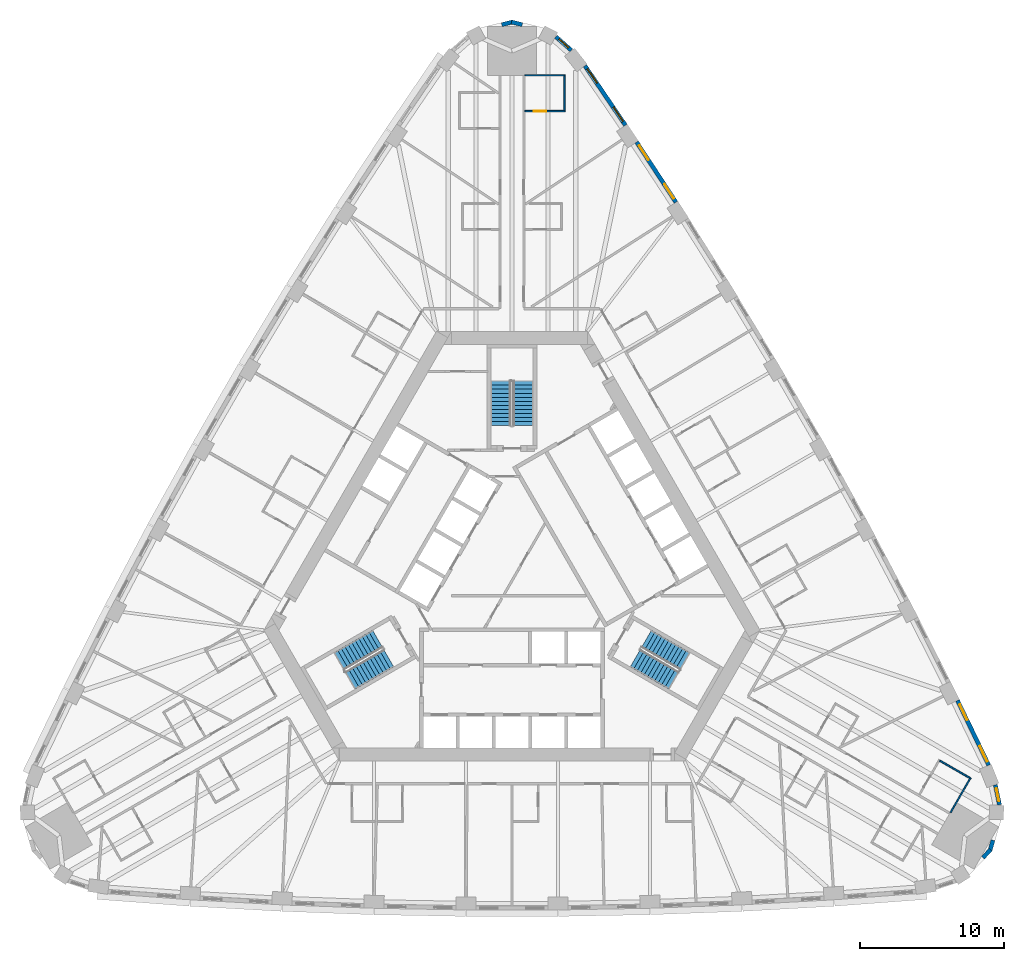
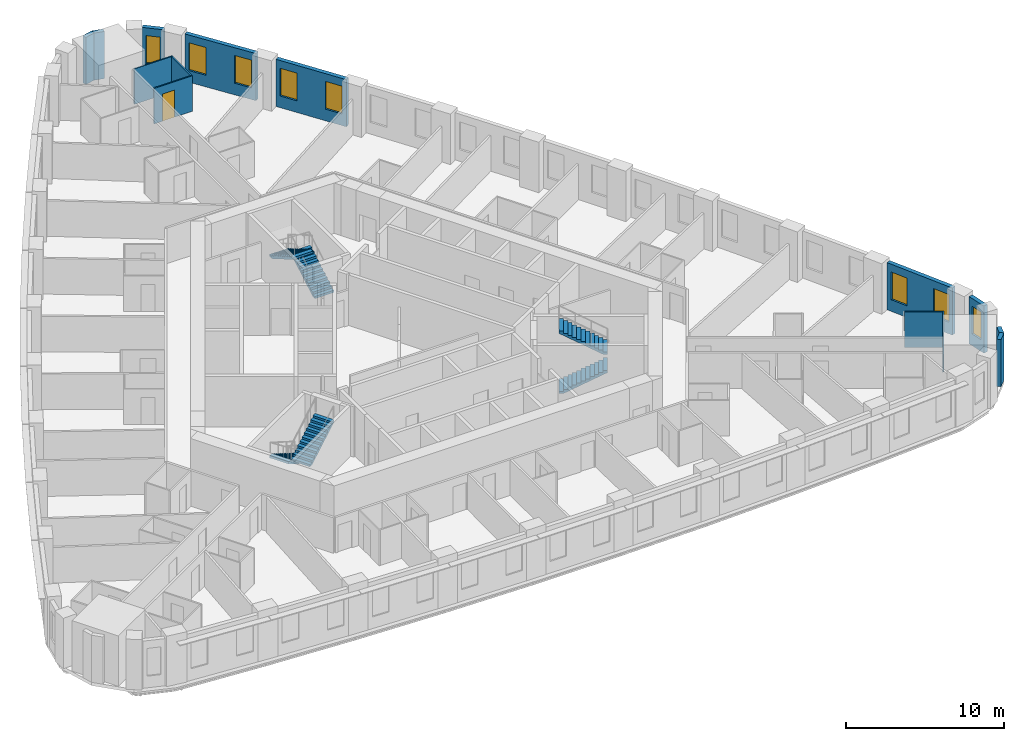
# One storey, part 12 of 13: 14 walls, 8 windows, 6 stair flights, 1 door, 9 openings, 3 elements without a shape of their own.
"""IFC4 building model written with IfcOpenShell, lengths in metres."""

import ifcopenshell
import ifcopenshell.guid

model = None  # the IFC model being written
_history = None  # IfcOwnerHistory: only IFC2X3 demands one
_inside = {}  # id of a spatial element -> (the spatial element, [elements in it])
_under = {}  # id of a project, library or spatial element -> (it, [spatial elements below it])
_declared = {}  # id of a project -> (the project, [libraries it declares])
_typed = {}  # id of a type object -> (the type object, [elements of that type])
_made_of = {}  # id of a material, layer set ... -> (it, [elements and type objects made of it])


def new_model(schema):
    """Start an empty IFC model of exactly this schema.

    Asked for "IFC4X3", IfcOpenShell would pick the latest addendum, in which some entities
    have other attributes; the version numbers below select the first issue.
    IFC2X3 requires an IfcOwnerHistory on every rooted entity: one is made here for all.
    """
    global model, _history
    if schema == "IFC4X3":
        model = ifcopenshell.file(schema_version=(4, 3, 0, 0))
    else:
        model = ifcopenshell.file(schema=schema)
    _inside.clear()
    _under.clear()
    _declared.clear()
    _typed.clear()
    _made_of.clear()
    _history = None
    if model.schema == "IFC2X3":
        org = make("IfcOrganization", Name="unknown")
        user = make(
            "IfcPersonAndOrganization",
            ThePerson=make("IfcPerson", FamilyName="unknown"),
            TheOrganization=org,
        )
        app = make(
            "IfcApplication",
            ApplicationDeveloper=org,
            Version="unknown",
            ApplicationFullName="unknown",
            ApplicationIdentifier="unknown",
        )
        _history = make(
            "IfcOwnerHistory",
            OwningUser=user,
            OwningApplication=app,
            ChangeAction="ADDED",
            CreationDate=0,
        )
    return model


def make(cls, **values):
    """One entity of the class cls with the attributes given. An attribute that is None is left unset."""
    return model.create_entity(
        cls, **{name: value for name, value in values.items() if value is not None}
    )


def rooted(cls, **values):
    """An entity with a GlobalId (a new one), such as an element, a storey or a relation."""
    return make(cls, GlobalId=ifcopenshell.guid.new(), OwnerHistory=_history, **values)


def si_unit(unit_type, name, prefix=None):
    """IfcSIUnit, for example si_unit("LENGTHUNIT", "METRE", prefix="MILLI")."""
    return make("IfcSIUnit", UnitType=unit_type, Prefix=prefix, Name=name)


def assignment(units):
    """IfcUnitAssignment: the units of a project."""
    return None if units is None else make("IfcUnitAssignment", Units=units)


def point(xyz):
    """IfcCartesianPoint."""
    return None if xyz is None else make("IfcCartesianPoint", Coordinates=xyz)


def direction(xyz):
    """IfcDirection."""
    return None if xyz is None else make("IfcDirection", DirectionRatios=xyz)


def frame(location, z_axis=None, x_axis=None):
    """IfcAxis2Placement3D, a coordinate frame: its origin and axes. An axis left out is left unset."""
    return make(
        "IfcAxis2Placement3D",
        Location=point(location),
        Axis=direction(z_axis),
        RefDirection=direction(x_axis),
    )


def frame_2d(location, x_axis=None):
    """IfcAxis2Placement2D, a coordinate frame in the plane: its origin and x axis."""
    return make(
        "IfcAxis2Placement2D", Location=point(location), RefDirection=direction(x_axis)
    )


def origin():
    """The frame at (0, 0, 0) with its axes left unset."""
    return frame((0.0, 0.0, 0.0))


def place(relative_to, where):
    """IfcLocalPlacement: puts the frame where relative to a parent placement (None: the world)."""
    return make(
        "IfcLocalPlacement", PlacementRelTo=relative_to, RelativePlacement=where
    )


def context(
    kind, dimensions, precision=None, world=None, true_north=None, identifier=None
):
    """IfcGeometricRepresentationContext, for example the 3D "Model" context."""
    return make(
        "IfcGeometricRepresentationContext",
        ContextIdentifier=identifier,
        ContextType=kind,
        CoordinateSpaceDimension=dimensions,
        Precision=precision,
        WorldCoordinateSystem=world,
        TrueNorth=true_north,
    )


def subcontext(parent, identifier, kind, view, scale=None):
    """IfcGeometricRepresentationSubContext, for example "Body" below "Model"."""
    return make(
        "IfcGeometricRepresentationSubContext",
        ContextIdentifier=identifier,
        ContextType=kind,
        ParentContext=parent,
        TargetScale=scale,
        TargetView=view,
    )


def project(units=None, contexts=None):
    """IfcProject with its units and contexts."""
    return rooted(
        "IfcProject",
        Name="project",
        RepresentationContexts=contexts,
        UnitsInContext=assignment(units),
    )


def spatial(cls, under=None, at=None, **own):
    """A site, building, storey or space (cls), placed at a placement, below another one or the project."""
    s = rooted(cls, ObjectPlacement=at, **own)
    if under is not None:
        _under.setdefault(under.id(), (under, []))[1].append(s)
    return s


def polyline(points):
    """IfcPolyline through the points."""
    return make("IfcPolyline", Points=[point(p) for p in points])


def profile(cls, at=None, kind="AREA", **sizes):
    """A parametric profile (cls). Its sizes go by their IFC names, for example OverallWidth=200.0."""
    return make(cls, ProfileType=kind, Position=at, **sizes)


def rectangle(**sizes):
    """IfcRectangleProfileDef."""
    return profile("IfcRectangleProfileDef", **sizes)


def outline(outer, holes=None, kind="AREA"):
    """IfcArbitraryClosedProfileDef: a profile drawn as a closed curve; with holes, ...WithVoids."""
    if holes is None:
        return make("IfcArbitraryClosedProfileDef", ProfileType=kind, OuterCurve=outer)
    return make(
        "IfcArbitraryProfileDefWithVoids",
        ProfileType=kind,
        OuterCurve=outer,
        InnerCurves=holes,
    )


def extrude(swept, where, along, depth):
    """IfcExtrudedAreaSolid: the profile swept, set in the frame where, extruded along a direction by depth."""
    return make(
        "IfcExtrudedAreaSolid",
        SweptArea=swept,
        Position=where,
        ExtrudedDirection=direction(along),
        Depth=depth,
    )


def shape(context_of_items, identifier, shape_type, items):
    """IfcShapeRepresentation: the items that make up one representation, for example the "Body"."""
    return make(
        "IfcShapeRepresentation",
        ContextOfItems=context_of_items,
        RepresentationIdentifier=identifier,
        RepresentationType=shape_type,
        Items=items,
    )


def material(Name=None, Category=None):
    """IfcMaterial."""
    return make("IfcMaterial", Name=Name, Category=Category)


def layer(
    of_material, thickness, ventilated=None, Name=None, Category=None, Priority=None
):
    """IfcMaterialLayer: one layer of a wall or slab, of a material (None: an air gap)."""
    return make(
        "IfcMaterialLayer",
        Material=of_material,
        LayerThickness=thickness,
        IsVentilated=ventilated,
        Name=Name,
        Category=Category,
        Priority=Priority,
    )


def layer_set(layers, Name=None):
    """IfcMaterialLayerSet."""
    return make("IfcMaterialLayerSet", MaterialLayers=layers, LayerSetName=Name)


def made_of(thing, what):
    """Note that an element or type object is made of a material, layer set ...; save() writes the relation."""
    if what is not None:
        _made_of.setdefault(what.id(), (what, []))[1].append(thing)
    return thing


def type_object(cls, material=None, **own):
    """A type object (cls), such as IfcWallType, which elements share."""
    return made_of(rooted(cls, **own), material)


def element(
    cls,
    number,
    at=None,
    inside=None,
    cuts=None,
    type_object=None,
    material=None,
    context=None,
    identifier="Body",
    shape_type=None,
    held_by="IfcProductDefinitionShape",
    body=None,
    shapes=None,
    **own,
):
    """One element of the class cls, such as IfcWall. Its Tag is "e" and its number.

    at: its placement. inside: the storey or other place that contains it. cuts: it is an
    opening in that element (IfcRelVoidsElement). A single representation is given by context,
    identifier, shape_type and body (its items); several are given by shapes. held_by: the class
    of the entity that holds the representations. save() writes the other relations.
    """
    e = rooted(cls, Tag="e%d" % number, ObjectPlacement=at, **own)
    if body is not None:
        shapes = [shape(context, identifier, shape_type, body)]
    if shapes is not None:
        e.Representation = make(held_by, Representations=shapes)
    if inside is not None:
        _inside.setdefault(inside.id(), (inside, []))[1].append(e)
    if cuts is not None:
        rooted(
            "IfcRelVoidsElement", RelatingBuildingElement=cuts, RelatedOpeningElement=e
        )
    if type_object is not None:
        _typed.setdefault(type_object.id(), (type_object, []))[1].append(e)
    return made_of(e, material)


def fill(opening, filler):
    """IfcRelFillsElement: the door or window that sits in an opening."""
    return rooted(
        "IfcRelFillsElement",
        RelatingOpeningElement=opening,
        RelatedBuildingElement=filler,
    )


def aggregate(whole, parts):
    """IfcRelAggregates: a whole, such as a stair, and the parts it consists of."""
    return rooted("IfcRelAggregates", RelatingObject=whole, RelatedObjects=parts)


def save(model, path):
    """Write the relations noted so far, then the file.

    IfcRelAggregates (storeys below a building ...), IfcRelContainedInSpatialStructure (elements
    in a storey), IfcRelDefinesByType, IfcRelAssociatesMaterial and IfcRelDeclares: one each for
    every whole, place, type object, material and project.
    """
    for whole, parts in _under.values():
        aggregate(whole, parts)
    for where, things in _inside.values():
        rooted(
            "IfcRelContainedInSpatialStructure",
            RelatedElements=things,
            RelatingStructure=where,
        )
    for kind, things in _typed.values():
        rooted("IfcRelDefinesByType", RelatedObjects=things, RelatingType=kind)
    for what, things in _made_of.values():
        rooted("IfcRelAssociatesMaterial", RelatedObjects=things, RelatingMaterial=what)
    for by, libraries in _declared.values():
        rooted("IfcRelDeclares", RelatingContext=by, RelatedDefinitions=libraries)
    model.write(path)


model = new_model("IFC4")

# Units and contexts
model_context = context("Model", 3, precision=1e-05, world=origin(), true_north=direction((0.0, 1.0)))
body_context = subcontext(model_context, "Body", "Model", "MODEL_VIEW")
ifc_project = project(units=[si_unit("LENGTHUNIT", "METRE"), si_unit("AREAUNIT", "SQUARE_METRE"), si_unit("VOLUMEUNIT", "CUBIC_METRE"), si_unit("PLANEANGLEUNIT", "RADIAN"), si_unit("MASSUNIT", "GRAM", prefix="KILO")], contexts=[model_context])

# Site, building, storey
site_placement = place(None, origin())
site = spatial("IfcSite", under=ifc_project, at=site_placement, CompositionType="ELEMENT")
building_placement = place(site_placement, origin())
building = spatial("IfcBuilding", under=site, at=building_placement, Name="Mestral Congress Tower", CompositionType="ELEMENT")
storey_placement = place(building_placement, frame((0.0, 0.0, 27.60009765625)))
storey = spatial("IfcBuildingStorey", under=building, at=storey_placement, Name="L05", CompositionType="ELEMENT", Elevation=27.60009765625)

# Walls
ifc_material_1 = material(Name="Precast concrete C40/50 with limestone facing", Category="masonry")
ifc_layer_1 = layer(ifc_material_1, 0.2900390625)
ifc_layer_set_1 = layer_set([ifc_layer_1], Name="Precast concrete C40/50 with limestone facing")
wall_type_1 = type_object("IfcWallType", Name="Facade stone wall 290", PredefinedType="SOLIDWALL", material=ifc_layer_set_1)
for number, where, z_axis, x_axis, name in (
    (1, (32.762451171875, -19.732177734375, 0.0), (0.0, 0.0, 1.0), (0.692252359589, 0.721655506903, 0.0), "Facade wall K0-1"),
    (2, (33.256591796875, -19.24072265625, 0.0), (0.0, 0.0, 1.0), (0.278981320915, 0.960296528464, 0.0), "Facade wall K0-2"),
):
    element("IfcWall", number, at=place(storey_placement, frame(where, z_axis=z_axis, x_axis=x_axis)), inside=storey, type_object=wall_type_1, Name=name, PredefinedType="SOLIDWALL", context=body_context, shape_type="SweptSolid", body=[
        extrude(rectangle(XDim=0.763916015625, YDim=0.2900390625, at=frame_2d((0.3818359375, 0.0))), origin(), (0.0, 0.0, 1.0), 3.64990234375),
    ])

# Wall, opening, window
wall_1_placement = place(storey_placement, frame((33.91748046875, -16.043701171875, 0.0), z_axis=(0.0, 0.0, 1.0), x_axis=(-0.198106888228, 0.980180422594, 0.0)))
wall_1 = element("IfcWall", 3, at=wall_1_placement, inside=storey, type_object=wall_type_1, Name="Facade wall K0-3", PredefinedType="SOLIDWALL", context=body_context, shape_type="SweptSolid", body=[
    extrude(rectangle(XDim=1.414794921875, YDim=0.2900390625, at=frame_2d((0.70751953125, 0.0))), origin(), (0.0, 0.0, 1.0), 3.64990234375),
])
opening_1_placement = place(wall_1_placement, frame((0.25732421875, 0.0, 0.89990234375)))
opening_1 = element("IfcOpeningElement", 4, at=opening_1_placement, cuts=wall_1, Name="Opening W3", PredefinedType="OPENING", context=body_context, shape_type="SweptSolid", body=[
    extrude(rectangle(XDim=0.89990234375, YDim=2.14990234375, at=frame_2d((0.449951171875, 1.074951171875))), frame((0.0, 0.155029296875, 0.0), z_axis=(0.0, -1.0, 0.0), x_axis=(1.0, 0.0, 0.0)), (0.0, 0.0, 1.0), 0.31005859375),
])
ifc_material_2 = material(Name="Clear low-emissivity double glazing", Category="glass")
window_type_1 = type_object("IfcWindowType", Name="Facade punched window 900 x 2150 sill 900", PartitioningType="SINGLE_PANEL", PredefinedType="WINDOW", material=ifc_material_2)
window_1_placement = place(opening_1_placement, origin())
window_1 = element("IfcWindow", 5, at=window_1_placement, inside=storey, type_object=window_type_1, Name="Window K0-3", OverallHeight=2.14990234375, OverallWidth=0.89990234375, PartitioningType="SINGLE_PANEL", PredefinedType="WINDOW", context=body_context, shape_type="SweptSolid", body=[
    extrude(rectangle(XDim=0.89990234375, YDim=2.14990234375, at=frame_2d((0.449951171875, 1.074951171875))), frame((0.0, 0.01513671875, 0.0), z_axis=(0.0, -1.0, 0.0), x_axis=(1.0, 0.0, 0.0)), (0.0, 0.0, 1.0), 0.06005859375),
])
fill(opening_1, window_1)

# Wall, openings, windows
wall_2_placement = place(storey_placement, frame((33.176025390625, -13.290283203125, 0.0), z_axis=(0.0, 0.0, 1.0), x_axis=(-0.434664499056, 0.900592456808, 0.0)))
wall_2 = element("IfcWall", 6, at=wall_2_placement, inside=storey, type_object=wall_type_1, Name="Facade wall F1-00", PredefinedType="SOLIDWALL", context=body_context, shape_type="SweptSolid", body=[
    extrude(rectangle(XDim=5.005615234375, YDim=0.2900390625, at=frame_2d((2.5029296875, 0.0))), origin(), (0.0, 0.0, 1.0), 3.64990234375),
])
opening_2_placement = place(wall_2_placement, frame((0.265380859375, 0.0, 0.89990234375)))
opening_2 = element("IfcOpeningElement", 7, at=opening_2_placement, cuts=wall_2, Name="Opening W1", PredefinedType="OPENING", context=body_context, shape_type="SweptSolid", body=[
    extrude(rectangle(XDim=1.199951171875, YDim=2.14990234375, at=frame_2d((0.60009765625, 1.074951171875))), frame((0.0, 0.155029296875, 0.0), z_axis=(0.0, -1.0, 0.0), x_axis=(1.0, 0.0, 0.0)), (0.0, 0.0, 1.0), 0.31005859375),
])
opening_3_placement = place(wall_2_placement, frame((3.49560546875, 0.0, 0.89990234375)))
opening_3 = element("IfcOpeningElement", 8, at=opening_3_placement, cuts=wall_2, Name="Opening W1", PredefinedType="OPENING", context=body_context, shape_type="SweptSolid", body=[
    extrude(rectangle(XDim=1.199951171875, YDim=2.14990234375, at=frame_2d((0.60009765625, 1.074951171875))), frame((0.0, 0.155029296875, 0.0), z_axis=(0.0, -1.0, 0.0), x_axis=(1.0, 0.0, 0.0)), (0.0, 0.0, 1.0), 0.31005859375),
])
window_type_2 = type_object("IfcWindowType", Name="Facade punched window 1200 x 2150 sill 900", PartitioningType="DOUBLE_PANEL_VERTICAL", PredefinedType="WINDOW", material=ifc_material_2)
window_2_placement = place(opening_2_placement, origin())
window_2 = element("IfcWindow", 9, at=window_2_placement, inside=storey, type_object=window_type_2, Name="Window F1-00a", OverallHeight=2.14990234375, OverallWidth=1.199951171875, PartitioningType="DOUBLE_PANEL_VERTICAL", PredefinedType="WINDOW", context=body_context, shape_type="SweptSolid", body=[
    extrude(rectangle(XDim=1.199951171875, YDim=2.14990234375, at=frame_2d((0.60009765625, 1.074951171875))), frame((0.0, 0.01513671875, 0.0), z_axis=(0.0, -1.0, 0.0), x_axis=(1.0, 0.0, 0.0)), (0.0, 0.0, 1.0), 0.06005859375),
])
fill(opening_2, window_2)
window_3_placement = place(opening_3_placement, origin())
window_3 = element("IfcWindow", 10, at=window_3_placement, inside=storey, type_object=window_type_2, Name="Window F1-00b", OverallHeight=2.14990234375, OverallWidth=1.199951171875, PartitioningType="DOUBLE_PANEL_VERTICAL", PredefinedType="WINDOW", context=body_context, shape_type="SweptSolid", body=[
    extrude(rectangle(XDim=1.199951171875, YDim=2.14990234375, at=frame_2d((0.60009765625, 1.074951171875))), frame((0.0, 0.01513671875, 0.0), z_axis=(0.0, -1.0, 0.0), x_axis=(1.0, 0.0, 0.0)), (0.0, 0.0, 1.0), 0.06005859375),
])
fill(opening_3, window_3)

wall_3_placement = place(storey_placement, frame((11.41064453125, 25.884033203125, 0.0), z_axis=(0.0, 0.0, 1.0), x_axis=(-0.547204617628, 0.836998868845, 0.0)))
wall_3 = element("IfcWall", 11, at=wall_3_placement, inside=storey, type_object=wall_type_1, Name="Facade wall F1-07", PredefinedType="SOLIDWALL", context=body_context, shape_type="SweptSolid", body=[
    extrude(rectangle(XDim=4.998291015625, YDim=0.2900390625, at=frame_2d((2.4990234375, 0.0))), origin(), (0.0, 0.0, 1.0), 3.64990234375),
])
opening_4_placement = place(wall_3_placement, frame((0.297119140625, 0.0, 0.89990234375)))
opening_4 = element("IfcOpeningElement", 12, at=opening_4_placement, cuts=wall_3, Name="Opening W1", PredefinedType="OPENING", context=body_context, shape_type="SweptSolid", body=[
    extrude(rectangle(XDim=1.199951171875, YDim=2.14990234375, at=frame_2d((0.60009765625, 1.074951171875))), frame((0.0, 0.155029296875, 0.0), z_axis=(0.0, -1.0, 0.0), x_axis=(1.0, 0.0, 0.0)), (0.0, 0.0, 1.0), 0.31005859375),
])
opening_5_placement = place(wall_3_placement, frame((3.501220703125, 0.0, 0.89990234375)))
opening_5 = element("IfcOpeningElement", 13, at=opening_5_placement, cuts=wall_3, Name="Opening W1", PredefinedType="OPENING", context=body_context, shape_type="SweptSolid", body=[
    extrude(rectangle(XDim=1.199951171875, YDim=2.14990234375, at=frame_2d((0.60009765625, 1.074951171875))), frame((0.0, 0.155029296875, 0.0), z_axis=(0.0, -1.0, 0.0), x_axis=(1.0, 0.0, 0.0)), (0.0, 0.0, 1.0), 0.31005859375),
])
window_4_placement = place(opening_4_placement, origin())
window_4 = element("IfcWindow", 14, at=window_4_placement, inside=storey, type_object=window_type_2, Name="Window F1-07a", OverallHeight=2.14990234375, OverallWidth=1.199951171875, PartitioningType="DOUBLE_PANEL_VERTICAL", PredefinedType="WINDOW", context=body_context, shape_type="SweptSolid", body=[
    extrude(rectangle(XDim=1.199951171875, YDim=2.14990234375, at=frame_2d((0.60009765625, 1.074951171875))), frame((0.0, 0.01513671875, 0.0), z_axis=(0.0, -1.0, 0.0), x_axis=(1.0, 0.0, 0.0)), (0.0, 0.0, 1.0), 0.06005859375),
])
fill(opening_4, window_4)
window_5_placement = place(opening_5_placement, origin())
window_5 = element("IfcWindow", 15, at=window_5_placement, inside=storey, type_object=window_type_2, Name="Window F1-07b", OverallHeight=2.14990234375, OverallWidth=1.199951171875, PartitioningType="DOUBLE_PANEL_VERTICAL", PredefinedType="WINDOW", context=body_context, shape_type="SweptSolid", body=[
    extrude(rectangle(XDim=1.199951171875, YDim=2.14990234375, at=frame_2d((0.60009765625, 1.074951171875))), frame((0.0, 0.01513671875, 0.0), z_axis=(0.0, -1.0, 0.0), x_axis=(1.0, 0.0, 0.0)), (0.0, 0.0, 1.0), 0.06005859375),
])
fill(opening_5, window_5)

wall_4_placement = place(storey_placement, frame((7.89453125, 31.23828125, 0.0), z_axis=(0.0, 0.0, 1.0), x_axis=(-0.562610153679, 0.826722332454, 0.0)))
wall_4 = element("IfcWall", 16, at=wall_4_placement, inside=storey, type_object=wall_type_1, Name="Facade wall F1-08", PredefinedType="SOLIDWALL", context=body_context, shape_type="SweptSolid", body=[
    extrude(rectangle(XDim=5.005615234375, YDim=0.2900390625, at=frame_2d((2.5029296875, 0.0))), origin(), (0.0, 0.0, 1.0), 3.64990234375),
])
opening_6_placement = place(wall_4_placement, frame((0.310302734375, 0.0, 0.89990234375)))
opening_6 = element("IfcOpeningElement", 17, at=opening_6_placement, cuts=wall_4, Name="Opening W1", PredefinedType="OPENING", context=body_context, shape_type="SweptSolid", body=[
    extrude(rectangle(XDim=1.199951171875, YDim=2.14990234375, at=frame_2d((0.60009765625, 1.074951171875))), frame((0.0, 0.155029296875, 0.0), z_axis=(0.0, -1.0, 0.0), x_axis=(1.0, 0.0, 0.0)), (0.0, 0.0, 1.0), 0.31005859375),
])
opening_7_placement = place(wall_4_placement, frame((3.54052734375, 0.0, 0.89990234375)))
opening_7 = element("IfcOpeningElement", 18, at=opening_7_placement, cuts=wall_4, Name="Opening W1", PredefinedType="OPENING", context=body_context, shape_type="SweptSolid", body=[
    extrude(rectangle(XDim=1.199951171875, YDim=2.14990234375, at=frame_2d((0.60009765625, 1.074951171875))), frame((0.0, 0.155029296875, 0.0), z_axis=(0.0, -1.0, 0.0), x_axis=(1.0, 0.0, 0.0)), (0.0, 0.0, 1.0), 0.31005859375),
])
window_6_placement = place(opening_6_placement, origin())
window_6 = element("IfcWindow", 19, at=window_6_placement, inside=storey, type_object=window_type_2, Name="Window F1-08a", OverallHeight=2.14990234375, OverallWidth=1.199951171875, PartitioningType="DOUBLE_PANEL_VERTICAL", PredefinedType="WINDOW", context=body_context, shape_type="SweptSolid", body=[
    extrude(rectangle(XDim=1.199951171875, YDim=2.14990234375, at=frame_2d((0.60009765625, 1.074951171875))), frame((0.0, 0.01513671875, 0.0), z_axis=(0.0, -1.0, 0.0), x_axis=(1.0, 0.0, 0.0)), (0.0, 0.0, 1.0), 0.06005859375),
])
fill(opening_6, window_6)
window_7_placement = place(opening_7_placement, origin())
window_7 = element("IfcWindow", 20, at=window_7_placement, inside=storey, type_object=window_type_2, Name="Window F1-08b", OverallHeight=2.14990234375, OverallWidth=1.199951171875, PartitioningType="DOUBLE_PANEL_VERTICAL", PredefinedType="WINDOW", context=body_context, shape_type="SweptSolid", body=[
    extrude(rectangle(XDim=1.199951171875, YDim=2.14990234375, at=frame_2d((0.60009765625, 1.074951171875))), frame((0.0, 0.01513671875, 0.0), z_axis=(0.0, -1.0, 0.0), x_axis=(1.0, 0.0, 0.0)), (0.0, 0.0, 1.0), 0.06005859375),
])
fill(opening_7, window_7)

# Wall, opening, window
wall_5_placement = place(storey_placement, frame((4.12548828125, 36.458984375, 0.0), z_axis=(0.0, 0.0, 1.0), x_axis=(-0.749812680302, 0.661650167731, 0.0)))
wall_5 = element("IfcWall", 21, at=wall_5_placement, inside=storey, type_object=wall_type_1, Name="Facade wall K1-0", PredefinedType="SOLIDWALL", context=body_context, shape_type="SweptSolid", body=[
    extrude(rectangle(XDim=1.4150390625, YDim=0.2900390625, at=frame_2d((0.70751953125, 0.0))), origin(), (0.0, 0.0, 1.0), 3.64990234375),
])
opening_8_placement = place(wall_5_placement, frame((0.257568359375, 0.0, 0.89990234375)))
opening_8 = element("IfcOpeningElement", 22, at=opening_8_placement, cuts=wall_5, Name="Opening W3", PredefinedType="OPENING", context=body_context, shape_type="SweptSolid", body=[
    extrude(rectangle(XDim=0.89990234375, YDim=2.14990234375, at=frame_2d((0.449951171875, 1.074951171875))), frame((0.0, 0.155029296875, 0.0), z_axis=(0.0, -1.0, 0.0), x_axis=(1.0, 0.0, 0.0)), (0.0, 0.0, 1.0), 0.31005859375),
])
window_8_placement = place(opening_8_placement, origin())
window_8 = element("IfcWindow", 23, at=window_8_placement, inside=storey, type_object=window_type_1, Name="Window K1-0", OverallHeight=2.14990234375, OverallWidth=0.89990234375, PartitioningType="SINGLE_PANEL", PredefinedType="WINDOW", context=body_context, shape_type="SweptSolid", body=[
    extrude(rectangle(XDim=0.89990234375, YDim=2.14990234375, at=frame_2d((0.449951171875, 1.074951171875))), frame((0.0, 0.01513671875, 0.0), z_axis=(0.0, -1.0, 0.0), x_axis=(1.0, 0.0, 0.0)), (0.0, 0.0, 1.0), 0.06005859375),
])
fill(opening_8, window_8)

# Walls
for number, where, z_axis, x_axis, name in (
    (24, (0.707275390625, 38.2392578125, 0.0), (0.0, 0.0, 1.0), (-0.971167582305, 0.238397833629, 0.0), "Facade wall K1-1"),
    (25, (0.03466796875, 38.42138671875, 0.0), (0.0, 0.0, 1.0), (-0.971167582305, -0.238397833629, 0.0), "Facade wall K1-2"),
):
    element("IfcWall", number, at=place(storey_placement, frame(where, z_axis=z_axis, x_axis=x_axis)), inside=storey, type_object=wall_type_1, Name=name, PredefinedType="SOLIDWALL", context=body_context, shape_type="SweptSolid", body=[
        extrude(rectangle(XDim=0.763916015625, YDim=0.2900390625, at=frame_2d((0.3818359375, 0.0))), origin(), (0.0, 0.0, 1.0), 3.64990234375),
    ])
ifc_material_3 = material(Name="Gypsum board partition on metal studs with mineral wool", Category="composite")
ifc_layer_2 = layer(ifc_material_3, 0.10009765625)
ifc_layer_set_2 = layer_set([ifc_layer_2], Name="Gypsum board partition on metal studs with mineral wool")
wall_type_2 = type_object("IfcWallType", Name="Hotel partition wall 100", PredefinedType="PARTITIONING", material=ifc_layer_set_2)
wall_6_placement = place(storey_placement, frame((29.770751953125, -12.973388671875, 0.0), z_axis=(0.0, 0.0, 1.0), x_axis=(0.865980596518, -0.500077600433, 0.0)))
element("IfcWall", 26, at=wall_6_placement, inside=storey, type_object=wall_type_2, Name="L05-h-pod11b", PredefinedType="PARTITIONING", context=body_context, shape_type="SweptSolid", body=[
    extrude(rectangle(XDim=2.39990234375, YDim=0.10009765625, at=frame_2d((1.199951171875, 0.0))), origin(), (0.0, 0.0, 1.0), 2.75),
])
wall_7_placement = place(storey_placement, frame((30.517578125, -16.580078125, 0.0), z_axis=(0.0, 0.0, 1.0), x_axis=(0.49998411664, 0.866034573852, 0.0)))
element("IfcWall", 27, at=wall_7_placement, inside=storey, type_object=wall_type_2, Name="L05-h-pod11c", PredefinedType="PARTITIONING", context=body_context, shape_type="SweptSolid", body=[
    extrude(rectangle(XDim=2.7998046875, YDim=0.10009765625, at=frame_2d((1.39990234375, 0.0))), origin(), (0.0, 0.0, 1.0), 2.75),
])

# Wall, opening, door
wall_8_placement = place(storey_placement, frame((0.89990234375, 32.218994140625, 0.0), z_axis=(0.0, 0.0, 1.0), x_axis=(1.0, 0.0, 0.0)))
wall_8 = element("IfcWall", 28, at=wall_8_placement, inside=storey, type_object=wall_type_2, Name="L05-h-pod20a", PredefinedType="PARTITIONING", context=body_context, shape_type="SweptSolid", body=[
    extrude(rectangle(XDim=2.800048828125, YDim=0.10009765625, at=frame_2d((1.39990234375, 0.0))), origin(), (0.0, 0.0, 1.0), 2.75),
])
opening_9_placement = place(wall_8_placement, frame((0.60009765625, 0.0, 0.0)))
opening_9 = element("IfcOpeningElement", 29, at=opening_9_placement, cuts=wall_8, Name="Opening H01-038", PredefinedType="OPENING", context=body_context, shape_type="SweptSolid", body=[
    extrude(rectangle(XDim=0.89990234375, YDim=2.10009765625, at=frame_2d((0.449951171875, 1.050048828125))), frame((0.0, 0.06005859375, 0.0), z_axis=(0.0, -1.0, 0.0), x_axis=(1.0, 0.0, 0.0)), (0.0, 0.0, 1.0), 0.1201171875),
])
ifc_material_4 = material(Name="Timber veneer door leaf in timber frame", Category="wood")
door_type = type_object("IfcDoorType", Name="Bathroom door 900", OperationType="SINGLE_SWING_LEFT", PredefinedType="DOOR", material=ifc_material_4)
door_placement = place(opening_9_placement, origin())
door = element("IfcDoor", 30, at=door_placement, inside=storey, type_object=door_type, Name="L05-h-d038", OperationType="SINGLE_SWING_LEFT", OverallHeight=2.10009765625, OverallWidth=0.89990234375, PredefinedType="DOOR", context=body_context, shape_type="SweptSolid", body=[
    extrude(rectangle(XDim=0.89990234375, YDim=2.10009765625, at=frame_2d((0.449951171875, 1.050048828125))), frame((0.0, 0.02490234375, 0.0), z_axis=(0.0, -1.0, 0.0), x_axis=(1.0, 0.0, 0.0)), (0.0, 0.0, 1.0), 0.050048828125),
])
fill(opening_9, door)

# Walls
wall_9_placement = place(storey_placement, frame((3.64990234375, 32.268798828125, 0.0), z_axis=(0.0, 0.0, 1.0), x_axis=(0.0, 1.0, 0.0)))
element("IfcWall", 31, at=wall_9_placement, inside=storey, type_object=wall_type_2, Name="L05-h-pod20b", PredefinedType="PARTITIONING", context=body_context, shape_type="SweptSolid", body=[
    extrude(rectangle(XDim=2.400146484375, YDim=0.10009765625, at=frame_2d((1.2001953125, 0.0))), origin(), (0.0, 0.0, 1.0), 2.75),
])
wall_10_placement = place(storey_placement, frame((0.89990234375, 34.718994140625, 0.0), z_axis=(0.0, 0.0, 1.0), x_axis=(1.0, 0.0, 0.0)))
element("IfcWall", 32, at=wall_10_placement, inside=storey, type_object=wall_type_2, Name="L05-h-pod20c", PredefinedType="PARTITIONING", context=body_context, shape_type="SweptSolid", body=[
    extrude(rectangle(XDim=2.800048828125, YDim=0.10009765625, at=frame_2d((1.39990234375, 0.0))), origin(), (0.0, 0.0, 1.0), 2.75),
])

# Stair, stair flights
ifc_material_5 = material(Name="Concrete C60/75", Category="concrete")
stair_type = type_object("IfcStairType", Name="Exit stair 1400", PredefinedType="HALF_TURN_STAIR", material=ifc_material_5)
placement = place(storey_placement, origin())
stair_1 = element("IfcStair", 33, at=placement, inside=storey, type_object=stair_type, Name="L05 ST1", PredefinedType="HALF_TURN_STAIR")
stair_flight_type = type_object("IfcStairFlightType", Name="Exit stair flight 1400", PredefinedType="STRAIGHT", material=ifc_material_5)
stair_flight_1_placement = place(storey_placement, frame((8.575927734375, -5.84619140625, 0.0), z_axis=(0.0, 0.0, 1.0), x_axis=(0.866025403784, -0.5, 0.0)))
stair_flight_1 = element("IfcStairFlight", 34, at=stair_flight_1_placement, type_object=stair_flight_type, Name="ST1 flight 1", NumberOfRisers=12, NumberOfTreads=11, PredefinedType="STRAIGHT", RiserHeight=0.1625, TreadLength=0.28, context=body_context, shape_type="SweptSolid", body=[
    extrude(outline(polyline([(0.0, 0.0), (0.0, 0.16259765625), (0.280029296875, 0.16259765625), (0.280029296875, 0.324951171875), (0.56005859375, 0.324951171875), (0.56005859375, 0.487548828125), (0.840087890625, 0.487548828125), (0.840087890625, 0.64990234375), (1.1201171875, 0.64990234375), (1.1201171875, 0.8125), (1.39990234375, 0.8125), (1.39990234375, 0.97509765625), (1.679931640625, 0.97509765625), (1.679931640625, 1.137451171875), (1.9599609375, 1.137451171875), (1.9599609375, 1.300048828125), (2.239990234375, 1.300048828125), (2.239990234375, 1.46240234375), (2.52001953125, 1.46240234375), (2.52001953125, 1.625), (2.800048828125, 1.625), (2.800048828125, 1.78759765625), (3.080078125, 1.78759765625), (3.080078125, 1.949951171875), (3.080078125, 1.6142578125), (0.298583984375, 0.0), (0.0, 0.0)])), frame((0.0, 0.699951171875, 0.0), z_axis=(0.0, -1.0, 0.0), x_axis=(1.0, 0.0, 0.0)), (0.0, 0.0, 1.0), 1.39990234375),
])
stair_flight_2_placement = place(storey_placement, frame((12.018310546875, -6.0439453125, 1.949951171875), z_axis=(0.0, 0.0, 1.0), x_axis=(-0.866025403784, 0.5, 0.0)))
stair_flight_2 = element("IfcStairFlight", 35, at=stair_flight_2_placement, type_object=stair_flight_type, Name="ST1 flight 2", NumberOfRisers=12, NumberOfTreads=11, PredefinedType="STRAIGHT", RiserHeight=0.1625, TreadLength=0.28, context=body_context, shape_type="SweptSolid", body=[
    extrude(outline(polyline([(0.0, 0.0), (0.0, 0.16259765625), (0.280029296875, 0.16259765625), (0.280029296875, 0.324951171875), (0.56005859375, 0.324951171875), (0.56005859375, 0.487548828125), (0.840087890625, 0.487548828125), (0.840087890625, 0.64990234375), (1.1201171875, 0.64990234375), (1.1201171875, 0.8125), (1.39990234375, 0.8125), (1.39990234375, 0.97509765625), (1.679931640625, 0.97509765625), (1.679931640625, 1.137451171875), (1.9599609375, 1.137451171875), (1.9599609375, 1.300048828125), (2.239990234375, 1.300048828125), (2.239990234375, 1.46240234375), (2.52001953125, 1.46240234375), (2.52001953125, 1.625), (2.800048828125, 1.625), (2.800048828125, 1.78759765625), (3.080078125, 1.78759765625), (3.080078125, 1.949951171875), (3.080078125, 1.6142578125), (0.298583984375, 0.0), (0.0, 0.0)])), frame((0.0, 0.699951171875, 0.0), z_axis=(0.0, -1.0, 0.0), x_axis=(1.0, 0.0, 0.0)), (0.0, 0.0, 1.0), 1.39990234375),
])
aggregate(stair_1, [stair_flight_1, stair_flight_2])

stair_2 = element("IfcStair", 36, at=placement, inside=storey, type_object=stair_type, Name="L05 ST2", PredefinedType="HALF_TURN_STAIR")
stair_flight_3_placement = place(storey_placement, frame((0.77490234375, 10.35009765625, 0.0), z_axis=(0.0, 0.0, 1.0), x_axis=(0.0, 1.0, 0.0)))
stair_flight_3 = element("IfcStairFlight", 37, at=stair_flight_3_placement, type_object=stair_flight_type, Name="ST2 flight 1", NumberOfRisers=12, NumberOfTreads=11, PredefinedType="STRAIGHT", RiserHeight=0.1625, TreadLength=0.28, context=body_context, shape_type="SweptSolid", body=[
    extrude(outline(polyline([(0.0, 0.0), (0.0, 0.16259765625), (0.280029296875, 0.16259765625), (0.280029296875, 0.324951171875), (0.56005859375, 0.324951171875), (0.56005859375, 0.487548828125), (0.840087890625, 0.487548828125), (0.840087890625, 0.64990234375), (1.1201171875, 0.64990234375), (1.1201171875, 0.8125), (1.39990234375, 0.8125), (1.39990234375, 0.97509765625), (1.679931640625, 0.97509765625), (1.679931640625, 1.137451171875), (1.9599609375, 1.137451171875), (1.9599609375, 1.300048828125), (2.239990234375, 1.300048828125), (2.239990234375, 1.46240234375), (2.52001953125, 1.46240234375), (2.52001953125, 1.625), (2.800048828125, 1.625), (2.800048828125, 1.78759765625), (3.080078125, 1.78759765625), (3.080078125, 1.949951171875), (3.080078125, 1.6142578125), (0.298583984375, 0.0), (0.0, 0.0)])), frame((0.0, 0.699951171875, 0.0), z_axis=(0.0, -1.0, 0.0), x_axis=(1.0, 0.0, 0.0)), (0.0, 0.0, 1.0), 1.39990234375),
])
stair_flight_4_placement = place(storey_placement, frame((-0.77490234375, 13.429931640625, 1.949951171875), z_axis=(0.0, 0.0, 1.0), x_axis=(0.0, -1.0, 0.0)))
stair_flight_4 = element("IfcStairFlight", 38, at=stair_flight_4_placement, type_object=stair_flight_type, Name="ST2 flight 2", NumberOfRisers=12, NumberOfTreads=11, PredefinedType="STRAIGHT", RiserHeight=0.1625, TreadLength=0.28, context=body_context, shape_type="SweptSolid", body=[
    extrude(outline(polyline([(0.0, 0.0), (0.0, 0.16259765625), (0.280029296875, 0.16259765625), (0.280029296875, 0.324951171875), (0.56005859375, 0.324951171875), (0.56005859375, 0.487548828125), (0.840087890625, 0.487548828125), (0.840087890625, 0.64990234375), (1.1201171875, 0.64990234375), (1.1201171875, 0.8125), (1.39990234375, 0.8125), (1.39990234375, 0.97509765625), (1.679931640625, 0.97509765625), (1.679931640625, 1.137451171875), (1.9599609375, 1.137451171875), (1.9599609375, 1.300048828125), (2.239990234375, 1.300048828125), (2.239990234375, 1.46240234375), (2.52001953125, 1.46240234375), (2.52001953125, 1.625), (2.800048828125, 1.625), (2.800048828125, 1.78759765625), (3.080078125, 1.78759765625), (3.080078125, 1.949951171875), (3.080078125, 1.6142578125), (0.298583984375, 0.0), (0.0, 0.0)])), frame((0.0, 0.699951171875, 0.0), z_axis=(0.0, -1.0, 0.0), x_axis=(1.0, 0.0, 0.0)), (0.0, 0.0, 1.0), 1.39990234375),
])
aggregate(stair_2, [stair_flight_3, stair_flight_4])

stair_3 = element("IfcStair", 39, at=placement, inside=storey, type_object=stair_type, Name="L05 ST3", PredefinedType="HALF_TURN_STAIR")
stair_flight_5_placement = place(storey_placement, frame((-9.350830078125, -4.50390625, 0.0), z_axis=(0.0, 0.0, 1.0), x_axis=(-0.866025403784, -0.5, 0.0)))
stair_flight_5 = element("IfcStairFlight", 40, at=stair_flight_5_placement, type_object=stair_flight_type, Name="ST3 flight 1", NumberOfRisers=12, NumberOfTreads=11, PredefinedType="STRAIGHT", RiserHeight=0.1625, TreadLength=0.28, context=body_context, shape_type="SweptSolid", body=[
    extrude(outline(polyline([(0.0, 0.0), (0.0, 0.16259765625), (0.280029296875, 0.16259765625), (0.280029296875, 0.324951171875), (0.56005859375, 0.324951171875), (0.56005859375, 0.487548828125), (0.840087890625, 0.487548828125), (0.840087890625, 0.64990234375), (1.1201171875, 0.64990234375), (1.1201171875, 0.8125), (1.39990234375, 0.8125), (1.39990234375, 0.97509765625), (1.679931640625, 0.97509765625), (1.679931640625, 1.137451171875), (1.9599609375, 1.137451171875), (1.9599609375, 1.300048828125), (2.239990234375, 1.300048828125), (2.239990234375, 1.46240234375), (2.52001953125, 1.46240234375), (2.52001953125, 1.625), (2.800048828125, 1.625), (2.800048828125, 1.78759765625), (3.080078125, 1.78759765625), (3.080078125, 1.949951171875), (3.080078125, 1.6142578125), (0.298583984375, 0.0), (0.0, 0.0)])), frame((0.0, 0.699951171875, 0.0), z_axis=(0.0, -1.0, 0.0), x_axis=(1.0, 0.0, 0.0)), (0.0, 0.0, 1.0), 1.39990234375),
])
stair_flight_6_placement = place(storey_placement, frame((-11.2431640625, -7.38623046875, 1.949951171875), z_axis=(0.0, 0.0, 1.0), x_axis=(0.866025403784, 0.5, 0.0)))
stair_flight_6 = element("IfcStairFlight", 41, at=stair_flight_6_placement, type_object=stair_flight_type, Name="ST3 flight 2", NumberOfRisers=12, NumberOfTreads=11, PredefinedType="STRAIGHT", RiserHeight=0.1625, TreadLength=0.28, context=body_context, shape_type="SweptSolid", body=[
    extrude(outline(polyline([(0.0, 0.0), (0.0, 0.16259765625), (0.280029296875, 0.16259765625), (0.280029296875, 0.324951171875), (0.56005859375, 0.324951171875), (0.56005859375, 0.487548828125), (0.840087890625, 0.487548828125), (0.840087890625, 0.64990234375), (1.1201171875, 0.64990234375), (1.1201171875, 0.8125), (1.39990234375, 0.8125), (1.39990234375, 0.97509765625), (1.679931640625, 0.97509765625), (1.679931640625, 1.137451171875), (1.9599609375, 1.137451171875), (1.9599609375, 1.300048828125), (2.239990234375, 1.300048828125), (2.239990234375, 1.46240234375), (2.52001953125, 1.46240234375), (2.52001953125, 1.625), (2.800048828125, 1.625), (2.800048828125, 1.78759765625), (3.080078125, 1.78759765625), (3.080078125, 1.949951171875), (3.080078125, 1.6142578125), (0.298583984375, 0.0), (0.0, 0.0)])), frame((0.0, 0.699951171875, 0.0), z_axis=(0.0, -1.0, 0.0), x_axis=(1.0, 0.0, 0.0)), (0.0, 0.0, 1.0), 1.39990234375),
])
aggregate(stair_3, [stair_flight_5, stair_flight_6])

save(model, "model.ifc")
